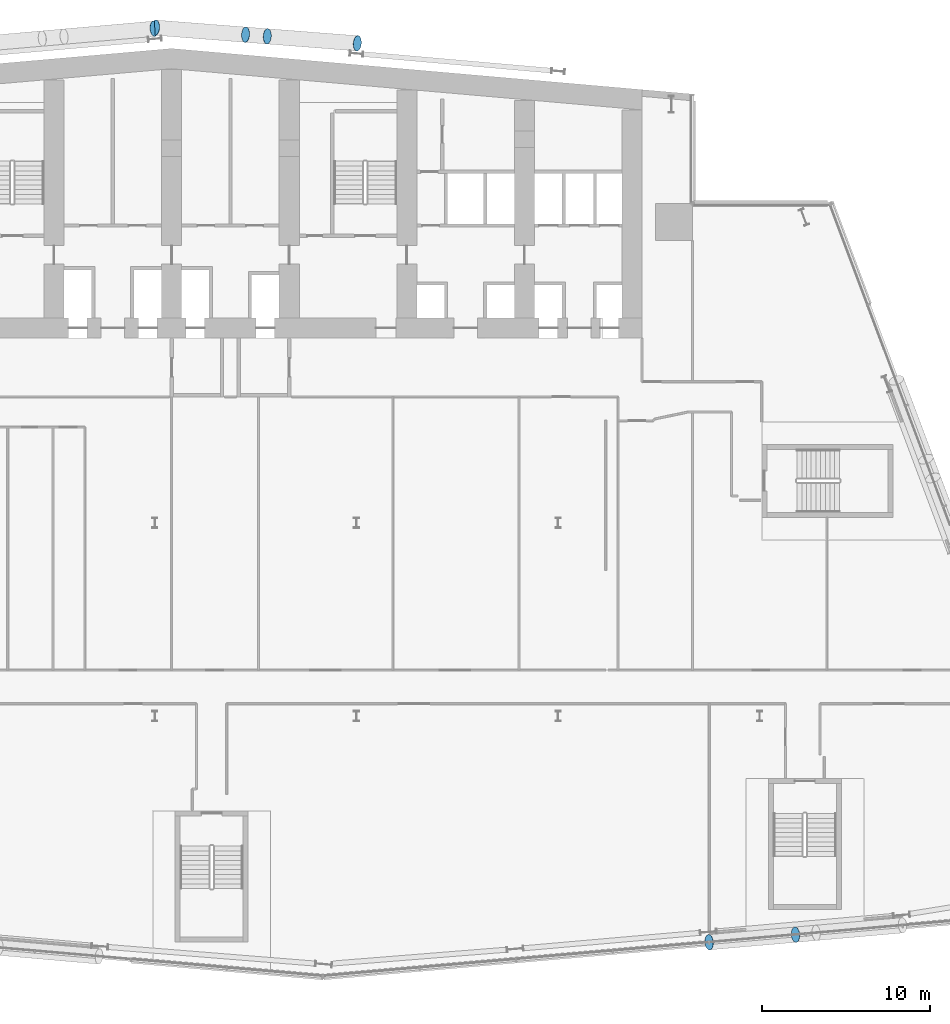
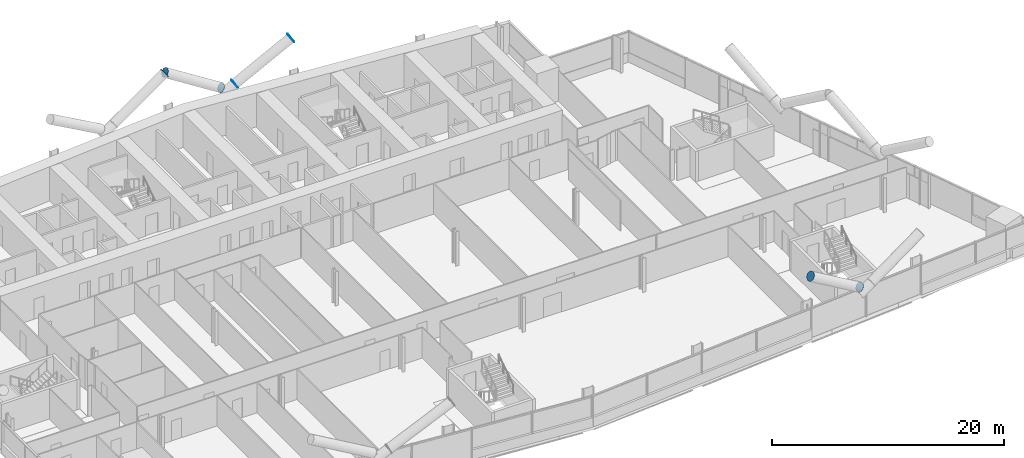
# One storey, part 22 of 27: 7 discrete accessories.
"""IFC4 building model written with IfcOpenShell, lengths in metres."""

from ifc_helpers import new_model, si_unit, direction, frame, origin, origin_2d, place, context, subcontext, project, spatial, circle, extrude, material, material_profile, profile_set, type_object, element, save


model = new_model("IFC4")

# Units and contexts
model_context = context("Model", 3, precision=1e-05, world=origin(), true_north=direction((0.0, 1.0)))
body_context = subcontext(model_context, "Body", "Model", "MODEL_VIEW")
ifc_project = project(units=[si_unit("LENGTHUNIT", "METRE"), si_unit("AREAUNIT", "SQUARE_METRE"), si_unit("VOLUMEUNIT", "CUBIC_METRE"), si_unit("PLANEANGLEUNIT", "RADIAN"), si_unit("MASSUNIT", "GRAM", prefix="KILO")], contexts=[model_context])

# Site, building, storey
site_placement = place(None, origin())
site = spatial("IfcSite", under=ifc_project, at=site_placement, CompositionType="ELEMENT")
building_placement = place(site_placement, origin())
building = spatial("IfcBuilding", under=site, at=building_placement, Name="Wharfspan Tower", CompositionType="ELEMENT")
storey_placement = place(building_placement, frame((0.0, 0.0, 48.699951)))
storey = spatial("IfcBuildingStorey", under=building, at=storey_placement, Name="L08", CompositionType="ELEMENT", Elevation=48.699951)

# Discrete accessories
ifc_material = material(Name="Steel S460NH", Category="steel")
ifc_material_profile = material_profile(ifc_material, circle(Radius=0.457031, at=origin_2d()))
ifc_profile_set = profile_set([ifc_material_profile], Name="Steel S460NH")
discrete_accessory_type = type_object("IfcDiscreteAccessoryType", Name="End plate CHS 914x40", PredefinedType="BRACKET", material=ifc_profile_set)
for number, where, z_axis, x_axis, name in (
    (1, (74.137451, -1.507568, 3.280518), (-0.837276, -0.073877, 0.541767), (0.087893, -0.996132, -1e-06), "End plate CHS 914x40"),
    (2, (68.995117, -1.95752, 6.5), (-0.837276, -0.073877, 0.541767), (0.087893, -0.996132, -1e-06), "End plate CHS 914x40"),
    (3, (35.947266, 52.412842, 6.5), (0.855186, 0.073302, 0.513112), (-0.085402, 0.996345, 1e-06), "End plate CHS 914x40"),
    (4, (42.687988, 51.960449, 3.285156), (0.856465, -0.048941, 0.513879), (0.05705, 0.998372, 0.0), "End plate CHS 914x40"),
    (5, (48.044434, 51.544434, 6.5), (0.855186, -0.073302, 0.513112), (0.085402, 0.996345, -1e-06), "End plate CHS 914x40"),
    (6, (41.405029, 52.060303, 3.285156), (-0.856465, 0.048941, 0.513879), (-0.05705, -0.998372, 0.0), "End plate CHS 914x40"),
    (7, (36.048584, 52.476318, 6.5), (-0.856465, 0.048941, 0.513879), (-0.05705, -0.998372, 0.0), "End plate CHS 914x40"),
):
    element("IfcDiscreteAccessory", number, at=place(storey_placement, frame(where, z_axis=z_axis, x_axis=x_axis)), inside=storey, type_object=discrete_accessory_type, Name=name, PredefinedType="BRACKET", context=body_context, shape_type="SweptSolid", body=[
        extrude(circle(Radius=0.457031, at=origin_2d()), origin(), (0.0, 0.0, 1.0), 0.01001),
    ])

save(model, "model.ifc")
